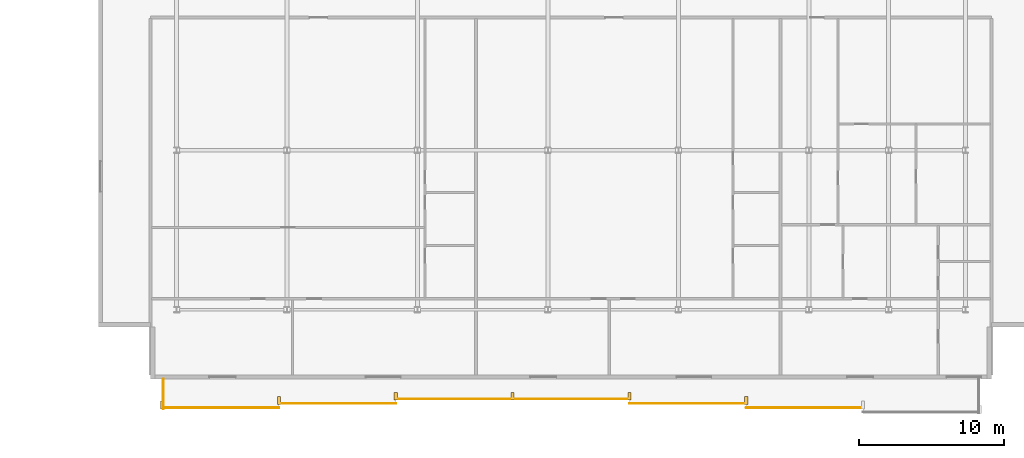
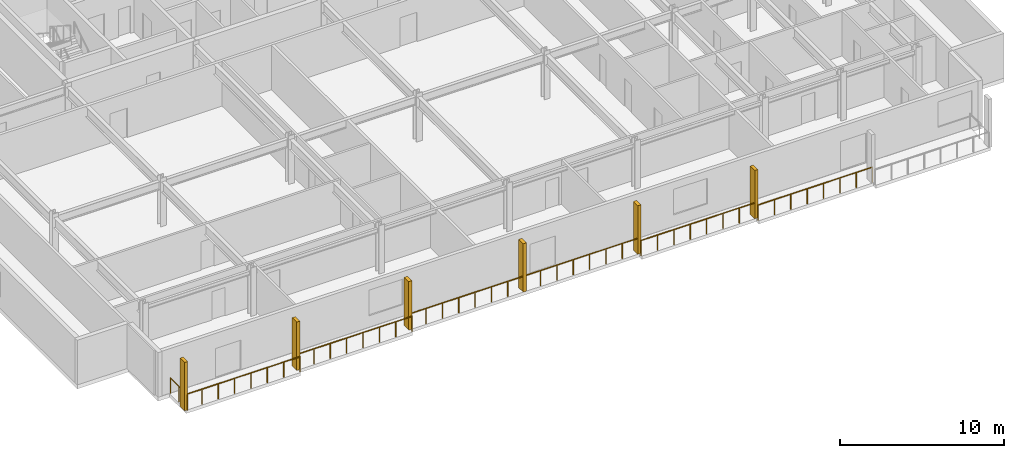
# One storey, part 24 of 28: 6 railings, 6 shading devices.
"""IFC4 building model written with IfcOpenShell, lengths in metres."""

from ifc_helpers import new_model, si_unit, direction, frame, origin, origin_2d, place, context, subcontext, project, spatial, rectangle, circle, extrude, material, type_object, element, save


model = new_model("IFC4")

# Units and contexts
model_context = context("Model", 3, precision=1e-05, world=origin(), true_north=direction((0.0, 1.0)))
body_context = subcontext(model_context, "Body", "Model", "MODEL_VIEW")
ifc_project = project(units=[si_unit("LENGTHUNIT", "METRE"), si_unit("AREAUNIT", "SQUARE_METRE"), si_unit("VOLUMEUNIT", "CUBIC_METRE"), si_unit("PLANEANGLEUNIT", "RADIAN"), si_unit("MASSUNIT", "GRAM", prefix="KILO")], contexts=[model_context])

# Site, building, storey
site_placement = place(None, origin())
site = spatial("IfcSite", under=ifc_project, at=site_placement, CompositionType="ELEMENT")
building_placement = place(site_placement, origin())
building = spatial("IfcBuilding", under=site, at=building_placement, Name="Korimba Cascade Residences", CompositionType="ELEMENT")
storey_placement = place(building_placement, frame((0.0, 0.0, 153.699951171875)))
storey = spatial("IfcBuildingStorey", under=building, at=storey_placement, Name="L44", CompositionType="ELEMENT", Elevation=153.699951171875)

# Railings
ifc_material_1 = material(Name="Laminated Glass and Bronze Balustrade", Category="glass")
railing_type = type_object("IfcRailingType", Name="RLG-LOG-1150", PredefinedType="BALUSTRADE", material=ifc_material_1)
for number, where, name in (
    (1, (73.5, -10.969970703125, 0.0), "L44 Perimeter Guardrail RLG-L44-T2-LOG-01"),
    (2, (81.55712890625, -10.669921875, 0.0), "L44 Perimeter Guardrail RLG-L44-T2-LOG-02"),
):
    element("IfcRailing", number, at=place(storey_placement, frame(where)), inside=storey, type_object=railing_type, Name=name, PredefinedType="BALUSTRADE", context=body_context, shape_type="SweptSolid", body=[
        extrude(circle(Radius=0.02392578125, at=origin_2d()), frame((0.0, 0.0, 1.1259765625), z_axis=(1.0, 0.0, 0.0), x_axis=(0.0, 1.0, 0.0)), (0.0, 0.0, 1.0), 8.05712890625),
        extrude(circle(Radius=0.02099609375, at=origin_2d()), origin(), (0.0, 0.0, 1.0), 1.101806640625),
        extrude(circle(Radius=0.02099609375, at=origin_2d()), frame((1.151123046875, 0.0, 0.0)), (0.0, 0.0, 1.0), 1.101806640625),
        extrude(circle(Radius=0.02099609375, at=origin_2d()), frame((2.302001953125, 0.0, 0.0)), (0.0, 0.0, 1.0), 1.101806640625),
        extrude(circle(Radius=0.02099609375, at=origin_2d()), frame((3.453125, 0.0, 0.0)), (0.0, 0.0, 1.0), 1.101806640625),
        extrude(circle(Radius=0.02099609375, at=origin_2d()), frame((4.60400390625, 0.0, 0.0)), (0.0, 0.0, 1.0), 1.101806640625),
        extrude(circle(Radius=0.02099609375, at=origin_2d()), frame((5.755126953125, 0.0, 0.0)), (0.0, 0.0, 1.0), 1.101806640625),
        extrude(circle(Radius=0.02099609375, at=origin_2d()), frame((6.906005859375, 0.0, 0.0)), (0.0, 0.0, 1.0), 1.101806640625),
        extrude(circle(Radius=0.02099609375, at=origin_2d()), frame((8.05712890625, 0.0, 0.0)), (0.0, 0.0, 1.0), 1.101806640625),
    ])
railing_1_placement = place(storey_placement, frame((89.6142578125, -10.3701171875, 0.0)))
element("IfcRailing", 3, at=railing_1_placement, inside=storey, type_object=railing_type, Name="L44 Perimeter Guardrail RLG-L44-T2-LOG-03", PredefinedType="BALUSTRADE", context=body_context, shape_type="SweptSolid", body=[
    extrude(circle(Radius=0.02392578125, at=origin_2d()), frame((0.0, 0.0, 1.1259765625), z_axis=(1.0, 0.0, 0.0), x_axis=(0.0, 1.0, 0.0)), (0.0, 0.0, 1.0), 16.1142578125),
    extrude(circle(Radius=0.02099609375, at=origin_2d()), origin(), (0.0, 0.0, 1.0), 1.101806640625),
    extrude(circle(Radius=0.02099609375, at=origin_2d()), frame((1.151123046875, 0.0, 0.0)), (0.0, 0.0, 1.0), 1.101806640625),
    extrude(circle(Radius=0.02099609375, at=origin_2d()), frame((2.302001953125, 0.0, 0.0)), (0.0, 0.0, 1.0), 1.101806640625),
    extrude(circle(Radius=0.02099609375, at=origin_2d()), frame((3.453125, 0.0, 0.0)), (0.0, 0.0, 1.0), 1.101806640625),
    extrude(circle(Radius=0.02099609375, at=origin_2d()), frame((4.60400390625, 0.0, 0.0)), (0.0, 0.0, 1.0), 1.101806640625),
    extrude(circle(Radius=0.02099609375, at=origin_2d()), frame((5.755126953125, 0.0, 0.0)), (0.0, 0.0, 1.0), 1.101806640625),
    extrude(circle(Radius=0.02099609375, at=origin_2d()), frame((6.906005859375, 0.0, 0.0)), (0.0, 0.0, 1.0), 1.101806640625),
    extrude(circle(Radius=0.02099609375, at=origin_2d()), frame((8.05712890625, 0.0, 0.0)), (0.0, 0.0, 1.0), 1.101806640625),
    extrude(circle(Radius=0.02099609375, at=origin_2d()), frame((9.208251953125, 0.0, 0.0)), (0.0, 0.0, 1.0), 1.101806640625),
    extrude(circle(Radius=0.02099609375, at=origin_2d()), frame((10.359130859375, 0.0, 0.0)), (0.0, 0.0, 1.0), 1.101806640625),
    extrude(circle(Radius=0.02099609375, at=origin_2d()), frame((11.51025390625, 0.0, 0.0)), (0.0, 0.0, 1.0), 1.101806640625),
    extrude(circle(Radius=0.02099609375, at=origin_2d()), frame((12.6611328125, 0.0, 0.0)), (0.0, 0.0, 1.0), 1.101806640625),
    extrude(circle(Radius=0.02099609375, at=origin_2d()), frame((13.812255859375, 0.0, 0.0)), (0.0, 0.0, 1.0), 1.101806640625),
    extrude(circle(Radius=0.02099609375, at=origin_2d()), frame((14.963134765625, 0.0, 0.0)), (0.0, 0.0, 1.0), 1.101806640625),
    extrude(circle(Radius=0.02099609375, at=origin_2d()), frame((16.1142578125, 0.0, 0.0)), (0.0, 0.0, 1.0), 1.101806640625),
])
railing_2_placement = place(storey_placement, frame((105.728515625, -10.669921875, 0.0)))
element("IfcRailing", 4, at=railing_2_placement, inside=storey, type_object=railing_type, Name="L44 Perimeter Guardrail RLG-L44-T2-LOG-04", PredefinedType="BALUSTRADE", context=body_context, shape_type="SweptSolid", body=[
    extrude(circle(Radius=0.02392578125, at=origin_2d()), frame((0.0, 0.0, 1.1259765625), z_axis=(1.0, 0.0, 0.0), x_axis=(0.0, 1.0, 0.0)), (0.0, 0.0, 1.0), 8.05712890625),
    extrude(circle(Radius=0.02099609375, at=origin_2d()), origin(), (0.0, 0.0, 1.0), 1.101806640625),
    extrude(circle(Radius=0.02099609375, at=origin_2d()), frame((1.151123046875, 0.0, 0.0)), (0.0, 0.0, 1.0), 1.101806640625),
    extrude(circle(Radius=0.02099609375, at=origin_2d()), frame((2.302001953125, 0.0, 0.0)), (0.0, 0.0, 1.0), 1.101806640625),
    extrude(circle(Radius=0.02099609375, at=origin_2d()), frame((3.453125, 0.0, 0.0)), (0.0, 0.0, 1.0), 1.101806640625),
    extrude(circle(Radius=0.02099609375, at=origin_2d()), frame((4.60400390625, 0.0, 0.0)), (0.0, 0.0, 1.0), 1.101806640625),
    extrude(circle(Radius=0.02099609375, at=origin_2d()), frame((5.755126953125, 0.0, 0.0)), (0.0, 0.0, 1.0), 1.101806640625),
    extrude(circle(Radius=0.02099609375, at=origin_2d()), frame((6.906005859375, 0.0, 0.0)), (0.0, 0.0, 1.0), 1.101806640625),
    extrude(circle(Radius=0.02099609375, at=origin_2d()), frame((8.05712890625, 0.0, 0.0)), (0.0, 0.0, 1.0), 1.101806640625),
])
railing_3_placement = place(storey_placement, frame((113.78564453125, -10.969970703125, 0.0)))
element("IfcRailing", 5, at=railing_3_placement, inside=storey, type_object=railing_type, Name="L44 Perimeter Guardrail RLG-L44-T2-LOG-05", PredefinedType="BALUSTRADE", context=body_context, shape_type="SweptSolid", body=[
    extrude(circle(Radius=0.02392578125, at=origin_2d()), frame((0.0, 0.0, 1.1259765625), z_axis=(1.0, 0.0, 0.0), x_axis=(0.0, 1.0, 0.0)), (0.0, 0.0, 1.0), 8.057373046875),
    extrude(circle(Radius=0.02099609375, at=origin_2d()), origin(), (0.0, 0.0, 1.0), 1.101806640625),
    extrude(circle(Radius=0.02099609375, at=origin_2d()), frame((1.151123046875, 0.0, 0.0)), (0.0, 0.0, 1.0), 1.101806640625),
    extrude(circle(Radius=0.02099609375, at=origin_2d()), frame((2.302001953125, 0.0, 0.0)), (0.0, 0.0, 1.0), 1.101806640625),
    extrude(circle(Radius=0.02099609375, at=origin_2d()), frame((3.453125, 0.0, 0.0)), (0.0, 0.0, 1.0), 1.101806640625),
    extrude(circle(Radius=0.02099609375, at=origin_2d()), frame((4.604248046875, 0.0, 0.0)), (0.0, 0.0, 1.0), 1.101806640625),
    extrude(circle(Radius=0.02099609375, at=origin_2d()), frame((5.75537109375, 0.0, 0.0)), (0.0, 0.0, 1.0), 1.101806640625),
    extrude(circle(Radius=0.02099609375, at=origin_2d()), frame((6.90625, 0.0, 0.0)), (0.0, 0.0, 1.0), 1.101806640625),
    extrude(circle(Radius=0.02099609375, at=origin_2d()), frame((8.057373046875, 0.0, 0.0)), (0.0, 0.0, 1.0), 1.101806640625),
])
railing_4_placement = place(storey_placement, frame((73.580078125, -9.0, 0.0)))
element("IfcRailing", 6, at=railing_4_placement, inside=storey, type_object=railing_type, Name="L44 Perimeter Guardrail RLG-L44-T2-LOG-08", PredefinedType="BALUSTRADE", context=body_context, shape_type="SweptSolid", body=[
    extrude(circle(Radius=0.02392578125, at=origin_2d()), frame((0.0, 0.0, 1.1259765625), z_axis=(0.0, -1.0, 0.0), x_axis=(1.0, 0.0, 0.0)), (0.0, 0.0, 1.0), 2.050048828125),
    extrude(circle(Radius=0.02099609375, at=origin_2d()), origin(), (0.0, 0.0, 1.0), 1.101806640625),
    extrude(circle(Radius=0.02099609375, at=origin_2d()), frame((0.0, -1.02490234375, 0.0)), (0.0, 0.0, 1.0), 1.101806640625),
    extrude(circle(Radius=0.02099609375, at=origin_2d()), frame((0.0, -2.050048828125, 0.0)), (0.0, 0.0, 1.0), 1.101806640625),
])

# Shading devices
ifc_material_2 = material(Name="Honed Sandstone Precast Fin", Category="masonry")
shading_device_type = type_object("IfcShadingDeviceType", Name="SHD-FIN-550", PredefinedType="USERDEFINED", material=ifc_material_2)
for number, where, z_axis, x_axis, name in (
    (7, (73.5, -10.77490234375, 0.0), (0.0, 0.0, 1.0), (1.0, 0.0, 0.0), "L44 T2 Warm-Stone Loggia Fin 1"),
    (8, (81.55712890625, -10.47509765625, 0.0), (0.0, 0.0, 1.0), (1.0, 0.0, 0.0), "L44 T2 Warm-Stone Loggia Fin 2"),
    (9, (89.6142578125, -10.175048828125, 0.0), (0.0, 0.0, 1.0), (1.0, 0.0, 0.0), "L44 T2 Warm-Stone Loggia Fin 3"),
    (10, (97.67138671875, -10.175048828125, 0.0), (0.0, 0.0, 1.0), (1.0, 0.0, 0.0), "L44 T2 Warm-Stone Loggia Fin 4"),
    (11, (105.728515625, -10.175048828125, 0.0), (0.0, 0.0, 1.0), (1.0, 0.0, 0.0), "L44 T2 Warm-Stone Loggia Fin 5"),
    (12, (113.78564453125, -10.47509765625, 0.0), (0.0, 0.0, 1.0), (1.0, 0.0, 0.0), "L44 T2 Warm-Stone Loggia Fin 6"),
):
    element("IfcShadingDevice", number, at=place(storey_placement, frame(where, z_axis=z_axis, x_axis=x_axis)), inside=storey, type_object=shading_device_type, Name=name, ObjectType="FIN", PredefinedType="USERDEFINED", context=body_context, shape_type="SweptSolid", body=[
        extrude(rectangle(XDim=0.219970703125, YDim=0.550048828125, at=origin_2d()), origin(), (0.0, 0.0, 1.0), 3.60009765625),
    ])

save(model, "model.ifc")
